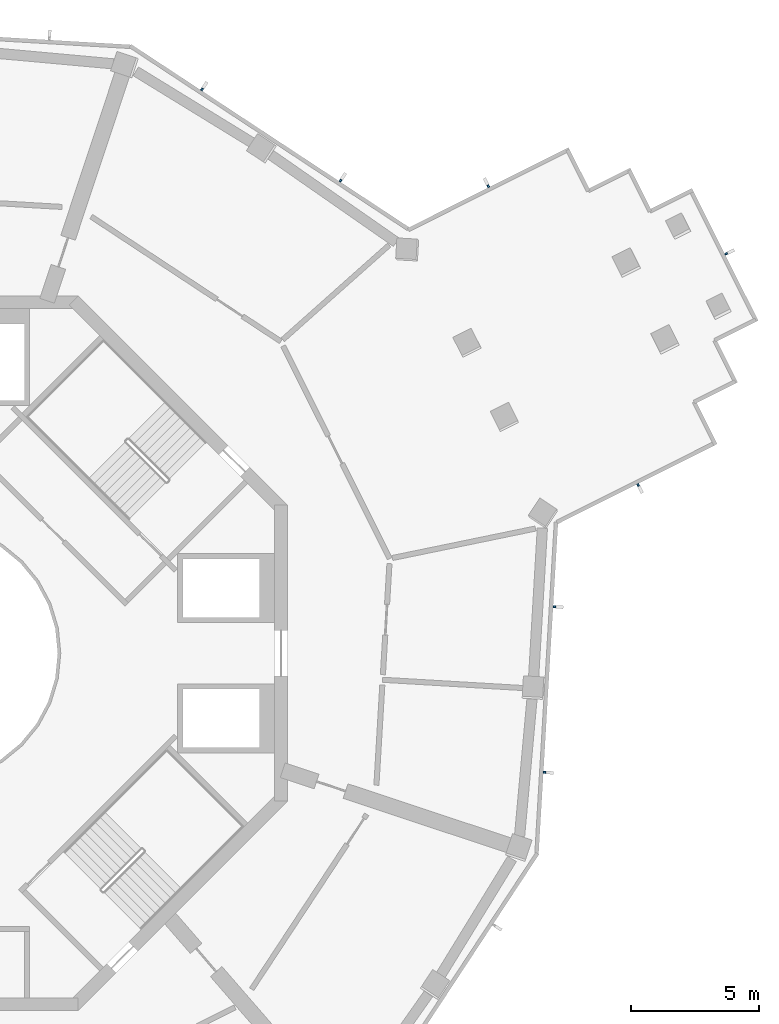
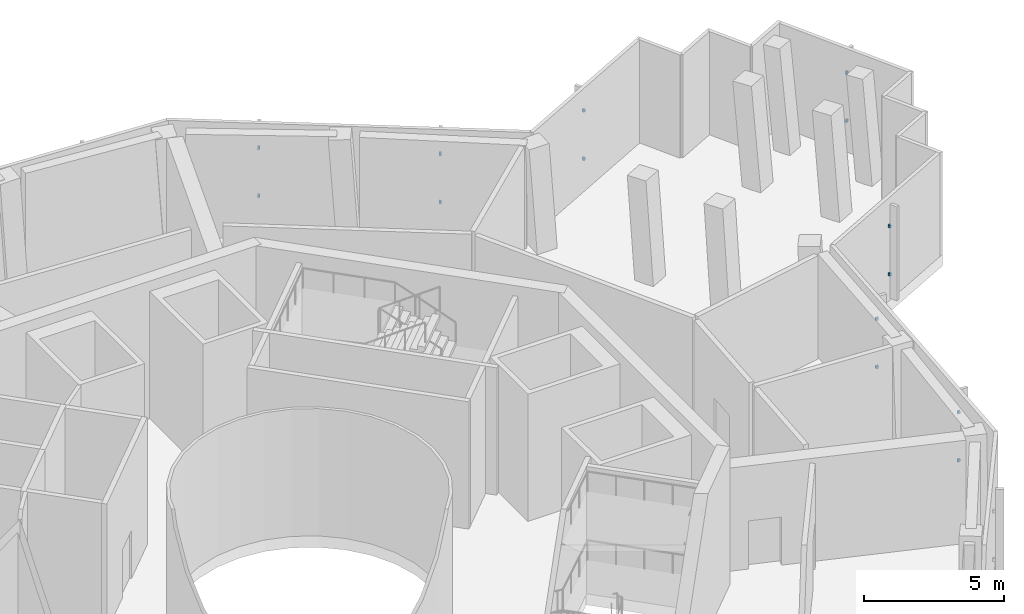
# One storey, part 8 of 16: 14 discrete accessories.
"""IFC4 building model written with IfcOpenShell, lengths in metres."""

from ifc_helpers import new_model, si_unit, direction, frame, origin, origin_2d, place, context, subcontext, project, spatial, rectangle, extrude, element, save


model = new_model("IFC4")

# Units and contexts
model_context = context("Model", 3, precision=1e-05, world=origin(), true_north=direction((0.0, 1.0)))
body_context = subcontext(model_context, "Body", "Model", "MODEL_VIEW")
ifc_project = project(units=[si_unit("LENGTHUNIT", "METRE"), si_unit("AREAUNIT", "SQUARE_METRE"), si_unit("VOLUMEUNIT", "CUBIC_METRE"), si_unit("PLANEANGLEUNIT", "RADIAN"), si_unit("MASSUNIT", "GRAM", prefix="KILO")], contexts=[model_context])

# Site, building, storey
site_placement = place(None, origin())
site = spatial("IfcSite", under=ifc_project, at=site_placement, CompositionType="ELEMENT")
building_placement = place(site_placement, origin())
building = spatial("IfcBuilding", under=site, at=building_placement, Name="Verdalira Terraces Hotel", CompositionType="ELEMENT")
storey_placement = place(building_placement, frame((0.0, 0.0, 263.0)))
storey = spatial("IfcBuildingStorey", under=building, at=storey_placement, Name="L65", CompositionType="ELEMENT", Elevation=263.0)

# Discrete accessories
for number, where, z_axis, x_axis, name in (
    (1, (24.076172, -4.669189, 1.139893), (0.0, 0.0, 1.0), (0.058609456, 0.998280988, 0.0), "Fin bracket"),
    (2, (24.076172, -4.669189, 3.23999), (0.0, 0.0, 1.0), (0.058609456, 0.998280988, 0.0), "Fin bracket"),
    (3, (24.457031, 1.819824, 1.139893), (0.0, 0.0, 1.0), (0.058609456, 0.998280988, 0.0), "Fin bracket"),
    (4, (24.457031, 1.819824, 3.23999), (0.0, 0.0, 1.0), (0.058609456, 0.998280988, 0.0), "Fin bracket"),
    (5, (27.741699, 6.588379, 1.139893), (0.0, 0.0, 1.0), (0.893841424, 0.448383216, 0.0), "Fin bracket"),
    (6, (27.741699, 6.588379, 3.23999), (0.0, 0.0, 1.0), (0.893841424, 0.448383216, 0.0), "Fin bracket"),
    (7, (31.188965, 15.645508, 1.139893), (0.0, 0.0, 1.0), (-0.448383216, 0.893841424, 0.0), "Fin bracket"),
    (8, (31.188965, 15.645508, 3.23999), (0.0, 0.0, 1.0), (-0.448383216, 0.893841424, 0.0), "Fin bracket"),
    (9, (21.86792, 18.297607, 1.139893), (0.0, 0.0, 1.0), (-0.893841424, -0.448383216, 0.0), "Fin bracket"),
    (10, (21.86792, 18.297607, 3.23999), (0.0, 0.0, 1.0), (-0.893841424, -0.448383216, 0.0), "Fin bracket"),
    (11, (16.081543, 18.515869, 1.139893), (0.0, 0.0, 1.0), (-0.835231968, 0.549897772, 0.0), "Fin bracket"),
    (12, (16.081543, 18.515869, 3.23999), (0.0, 0.0, 1.0), (-0.835231968, 0.549897772, 0.0), "Fin bracket"),
    (13, (10.652588, 22.090332, 1.139893), (0.0, 0.0, 1.0), (-0.835231968, 0.549897772, 0.0), "Fin bracket"),
    (14, (10.652588, 22.090332, 3.23999), (0.0, 0.0, 1.0), (-0.835231968, 0.549897772, 0.0), "Fin bracket"),
):
    element("IfcDiscreteAccessory", number, at=place(storey_placement, frame(where, z_axis=z_axis, x_axis=x_axis)), inside=storey, Name=name, PredefinedType="BRACKET", context=body_context, shape_type="SweptSolid", body=[
        extrude(rectangle(XDim=0.080078, YDim=0.100098, at=origin_2d()), origin(), (0.0, 0.0, 1.0), 0.120117),
    ])

save(model, "model.ifc")
